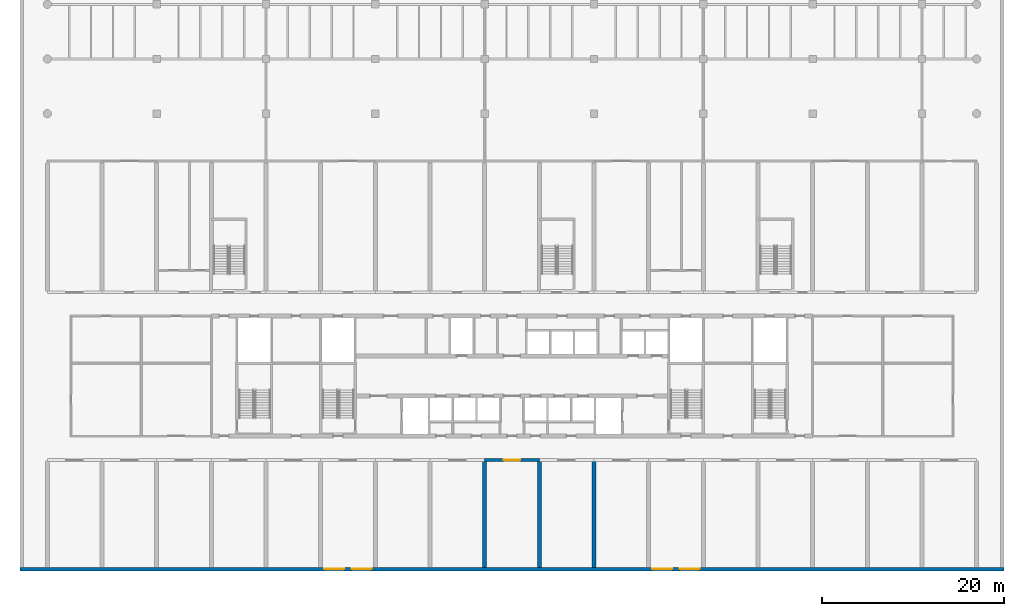
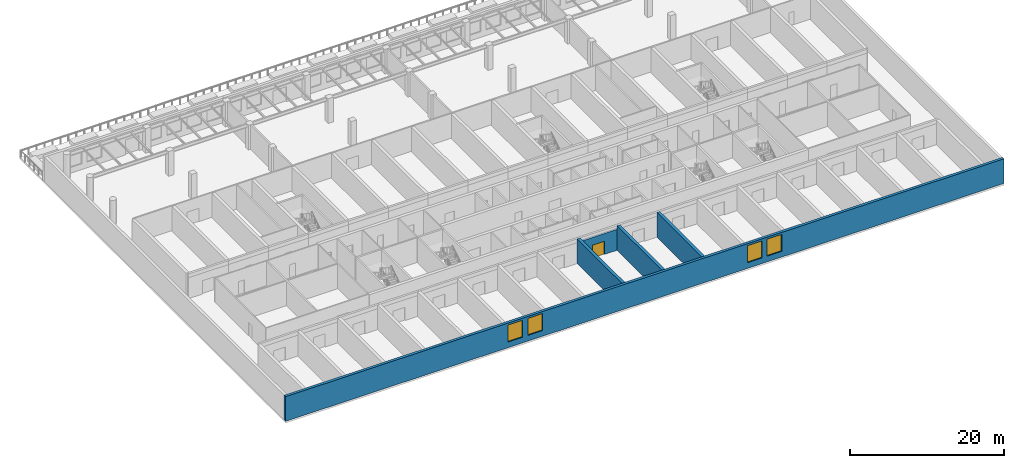
# One storey, part 4 of 15: 5 walls, 4 windows, 1 door, 5 openings.
"""IFC4 building model written with IfcOpenShell, lengths in metres."""

from ifc_helpers import new_model, si_unit, direction, frame, frame_2d, origin, place, context, subcontext, project, spatial, rectangle, extrude, material, layer, layer_set, type_object, element, fill, save


model = new_model("IFC4")

# Units and contexts
model_context = context("Model", 3, precision=1e-05, world=origin(), true_north=direction((0.0, 1.0)))
body_context = subcontext(model_context, "Body", "Model", "MODEL_VIEW")
ifc_project = project(units=[si_unit("LENGTHUNIT", "METRE"), si_unit("AREAUNIT", "SQUARE_METRE"), si_unit("VOLUMEUNIT", "CUBIC_METRE"), si_unit("PLANEANGLEUNIT", "RADIAN"), si_unit("MASSUNIT", "GRAM", prefix="KILO")], contexts=[model_context])

# Site, building, storey
site_placement = place(None, origin())
site = spatial("IfcSite", under=ifc_project, at=site_placement, CompositionType="ELEMENT")
building_placement = place(site_placement, origin())
building = spatial("IfcBuilding", under=site, at=building_placement, Name="Poui Terraces", CompositionType="ELEMENT")
storey_placement = place(building_placement, frame((0.0, 0.0, 10.800048828125)))
storey = spatial("IfcBuildingStorey", under=building, at=storey_placement, Name="L02", CompositionType="ELEMENT", Elevation=10.800048828125)

# Wall, opening, door
ifc_material_1 = material(Name="Concrete 80 MPa", Category="concrete")
ifc_layer_1 = layer(ifc_material_1, 0.300048828125)
ifc_layer_set_1 = layer_set([ifc_layer_1], Name="Concrete 80 MPa")
wall_type_1 = type_object("IfcWallType", Name="CORRIDOR WALL 300 80MPa", PredefinedType="SHEAR", material=ifc_layer_set_1)
wall_1_placement = place(storey_placement, frame((48.0, 12.0, 0.0), z_axis=(0.0, 0.0, 1.0), x_axis=(1.0, 0.0, 0.0)))
wall_1 = element("IfcWall", 1, at=wall_1_placement, inside=storey, type_object=wall_type_1, Name="CORRIDOR WALL LINE B BAY 9", PredefinedType="SHEAR", context=body_context, shape_type="SweptSolid", body=[
    extrude(rectangle(XDim=6.0, YDim=0.300048828125, at=frame_2d((3.0, 0.0))), origin(), (0.0, 0.0, 1.0), 3.320068359375),
])
opening_1_placement = place(wall_1_placement, frame((2.10009765625, 0.0, 0.0)))
opening_1 = element("IfcOpeningElement", 2, at=opening_1_placement, cuts=wall_1, Name="Opening DD180", PredefinedType="OPENING", context=body_context, shape_type="SweptSolid", body=[
    extrude(rectangle(XDim=1.800048828125, YDim=2.10009765625, at=frame_2d((0.89990234375, 1.050048828125))), frame((0.0, 0.16015625, 0.0), z_axis=(0.0, -1.0, 0.0), x_axis=(1.0, 0.0, 0.0)), (0.0, 0.0, 1.0), 0.320068359375),
])
ifc_material_2 = material(Name="Steel fire door", Category="steel")
door_type = type_object("IfcDoorType", Name="DOUBLE INTERNAL DOOR 1800 X 2100", OperationType="DOUBLE_DOOR_SINGLE_SWING", PredefinedType="DOOR", material=ifc_material_2)
door_placement = place(opening_1_placement, origin())
door = element("IfcDoor", 3, at=door_placement, inside=storey, type_object=door_type, Name="DOUBLE INTERNAL DOOR 055", OperationType="DOUBLE_DOOR_SINGLE_SWING", OverallHeight=2.10009765625, OverallWidth=1.800048828125, PredefinedType="DOOR", context=body_context, shape_type="SweptSolid", body=[
    extrude(rectangle(XDim=1.800048828125, YDim=2.10009765625, at=frame_2d((0.89990234375, 1.050048828125))), frame((0.0, 0.02490234375, 0.0), z_axis=(0.0, -1.0, 0.0), x_axis=(1.0, 0.0, 0.0)), (0.0, 0.0, 1.0), 0.050048828125),
])
fill(opening_1, door)

# Walls
ifc_layer_2 = layer(ifc_material_1, 0.449951171875)
ifc_layer_set_2 = layer_set([ifc_layer_2], Name="Concrete 80 MPa")
wall_type_2 = type_object("IfcWallType", Name="CROSS WALL 450 80MPa", PredefinedType="SHEAR", material=ifc_layer_set_2)
for number, where, z_axis, x_axis, name in (
    (4, (48.0, 0.199951171875, 0.0), (0.0, 0.0, 1.0), (0.0, 1.0, 0.0), "CROSS WALL LINE 9 SOUTH"),
    (5, (54.0, 0.199951171875, 0.0), (0.0, 0.0, 1.0), (0.0, 1.0, 0.0), "CROSS WALL LINE 10 SOUTH"),
    (6, (60.0, 0.199951171875, 0.0), (0.0, 0.0, 1.0), (0.0, 1.0, 0.0), "CROSS WALL LINE 11 SOUTH"),
):
    element("IfcWall", number, at=place(storey_placement, frame(where, z_axis=z_axis, x_axis=x_axis)), inside=storey, type_object=wall_type_2, Name=name, PredefinedType="SHEAR", context=body_context, shape_type="SweptSolid", body=[
        extrude(rectangle(XDim=11.650146484375, YDim=0.449951171875, at=frame_2d((5.8251953125, 0.0))), origin(), (0.0, 0.0, 1.0), 3.919921875),
    ])

# Wall, openings, windows
ifc_material_3 = material(Name="Precast concrete 40 MPa", Category="concrete")
ifc_layer_3 = layer(ifc_material_3, 0.39990234375)
ifc_layer_set_3 = layer_set([ifc_layer_3], Name="Precast concrete 40 MPa")
wall_type_3 = type_object("IfcWallType", Name="EXTERNAL WALL 400", PredefinedType="STANDARD", material=ifc_layer_set_3)
wall_2_placement = place(storey_placement, frame((-3.0, 0.0, 0.0), z_axis=(0.0, 0.0, 1.0), x_axis=(1.0, 0.0, 0.0)))
wall_2 = element("IfcWall", 7, at=wall_2_placement, inside=storey, type_object=wall_type_3, Name="EXTERNAL WALL S", PredefinedType="STANDARD", context=body_context, shape_type="SweptSolid", body=[
    extrude(rectangle(XDim=108.0, YDim=0.39990234375, at=frame_2d((54.0, 0.0))), origin(), (0.0, 0.0, 1.0), 3.919921875),
])
opening_2_placement = place(wall_2_placement, frame((33.39990234375, 0.0, 0.89990234375)))
opening_2 = element("IfcOpeningElement", 8, at=opening_2_placement, cuts=wall_2, Name="Opening W4", PredefinedType="OPENING", context=body_context, shape_type="SweptSolid", body=[
    extrude(rectangle(XDim=2.199951171875, YDim=2.699951171875, at=frame_2d((1.10009765625, 1.35009765625))), frame((0.0, 0.2099609375, 0.0), z_axis=(0.0, -1.0, 0.0), x_axis=(1.0, 0.0, 0.0)), (0.0, 0.0, 1.0), 0.419921875),
])
opening_3_placement = place(wall_2_placement, frame((36.39990234375, 0.0, 0.89990234375)))
opening_3 = element("IfcOpeningElement", 9, at=opening_3_placement, cuts=wall_2, Name="Opening W4", PredefinedType="OPENING", context=body_context, shape_type="SweptSolid", body=[
    extrude(rectangle(XDim=2.199951171875, YDim=2.699951171875, at=frame_2d((1.10009765625, 1.35009765625))), frame((0.0, 0.2099609375, 0.0), z_axis=(0.0, -1.0, 0.0), x_axis=(1.0, 0.0, 0.0)), (0.0, 0.0, 1.0), 0.419921875),
])
opening_4_placement = place(wall_2_placement, frame((69.39990234375, 0.0, 0.89990234375)))
opening_4 = element("IfcOpeningElement", 10, at=opening_4_placement, cuts=wall_2, Name="Opening W4", PredefinedType="OPENING", context=body_context, shape_type="SweptSolid", body=[
    extrude(rectangle(XDim=2.199951171875, YDim=2.699951171875, at=frame_2d((1.10009765625, 1.35009765625))), frame((0.0, 0.2099609375, 0.0), z_axis=(0.0, -1.0, 0.0), x_axis=(1.0, 0.0, 0.0)), (0.0, 0.0, 1.0), 0.419921875),
])
opening_5_placement = place(wall_2_placement, frame((72.39990234375, 0.0, 0.89990234375)))
opening_5 = element("IfcOpeningElement", 11, at=opening_5_placement, cuts=wall_2, Name="Opening W4", PredefinedType="OPENING", context=body_context, shape_type="SweptSolid", body=[
    extrude(rectangle(XDim=2.199951171875, YDim=2.699951171875, at=frame_2d((1.10009765625, 1.35009765625))), frame((0.0, 0.2099609375, 0.0), z_axis=(0.0, -1.0, 0.0), x_axis=(1.0, 0.0, 0.0)), (0.0, 0.0, 1.0), 0.419921875),
])
ifc_material_4 = material(Name="Clear glass in aluminium frame", Category="aluminium")
window_type = type_object("IfcWindowType", Name="WINDOW 2200X2700", PartitioningType="DOUBLE_PANEL_HORIZONTAL", PredefinedType="WINDOW", material=ifc_material_4)
window_1_placement = place(opening_2_placement, origin())
window_1 = element("IfcWindow", 12, at=window_1_placement, inside=storey, type_object=window_type, Name="W4 WINDOW", OverallHeight=2.699951171875, OverallWidth=2.199951171875, PartitioningType="DOUBLE_PANEL_HORIZONTAL", PredefinedType="WINDOW", context=body_context, shape_type="SweptSolid", body=[
    extrude(rectangle(XDim=2.199951171875, YDim=2.699951171875, at=frame_2d((1.10009765625, 1.35009765625))), frame((0.0, 0.030029296875, 0.0), z_axis=(0.0, -1.0, 0.0), x_axis=(1.0, 0.0, 0.0)), (0.0, 0.0, 1.0), 0.06005859375),
])
fill(opening_2, window_1)
window_2_placement = place(opening_3_placement, origin())
window_2 = element("IfcWindow", 13, at=window_2_placement, inside=storey, type_object=window_type, Name="W4 WINDOW", OverallHeight=2.699951171875, OverallWidth=2.199951171875, PartitioningType="DOUBLE_PANEL_HORIZONTAL", PredefinedType="WINDOW", context=body_context, shape_type="SweptSolid", body=[
    extrude(rectangle(XDim=2.199951171875, YDim=2.699951171875, at=frame_2d((1.10009765625, 1.35009765625))), frame((0.0, 0.030029296875, 0.0), z_axis=(0.0, -1.0, 0.0), x_axis=(1.0, 0.0, 0.0)), (0.0, 0.0, 1.0), 0.06005859375),
])
fill(opening_3, window_2)
window_3_placement = place(opening_4_placement, origin())
window_3 = element("IfcWindow", 14, at=window_3_placement, inside=storey, type_object=window_type, Name="W4 WINDOW", OverallHeight=2.699951171875, OverallWidth=2.199951171875, PartitioningType="DOUBLE_PANEL_HORIZONTAL", PredefinedType="WINDOW", context=body_context, shape_type="SweptSolid", body=[
    extrude(rectangle(XDim=2.199951171875, YDim=2.699951171875, at=frame_2d((1.10009765625, 1.35009765625))), frame((0.0, 0.030029296875, 0.0), z_axis=(0.0, -1.0, 0.0), x_axis=(1.0, 0.0, 0.0)), (0.0, 0.0, 1.0), 0.06005859375),
])
fill(opening_4, window_3)
window_4_placement = place(opening_5_placement, origin())
window_4 = element("IfcWindow", 15, at=window_4_placement, inside=storey, type_object=window_type, Name="W4 WINDOW", OverallHeight=2.699951171875, OverallWidth=2.199951171875, PartitioningType="DOUBLE_PANEL_HORIZONTAL", PredefinedType="WINDOW", context=body_context, shape_type="SweptSolid", body=[
    extrude(rectangle(XDim=2.199951171875, YDim=2.699951171875, at=frame_2d((1.10009765625, 1.35009765625))), frame((0.0, 0.030029296875, 0.0), z_axis=(0.0, -1.0, 0.0), x_axis=(1.0, 0.0, 0.0)), (0.0, 0.0, 1.0), 0.06005859375),
])
fill(opening_5, window_4)

save(model, "model.ifc")
